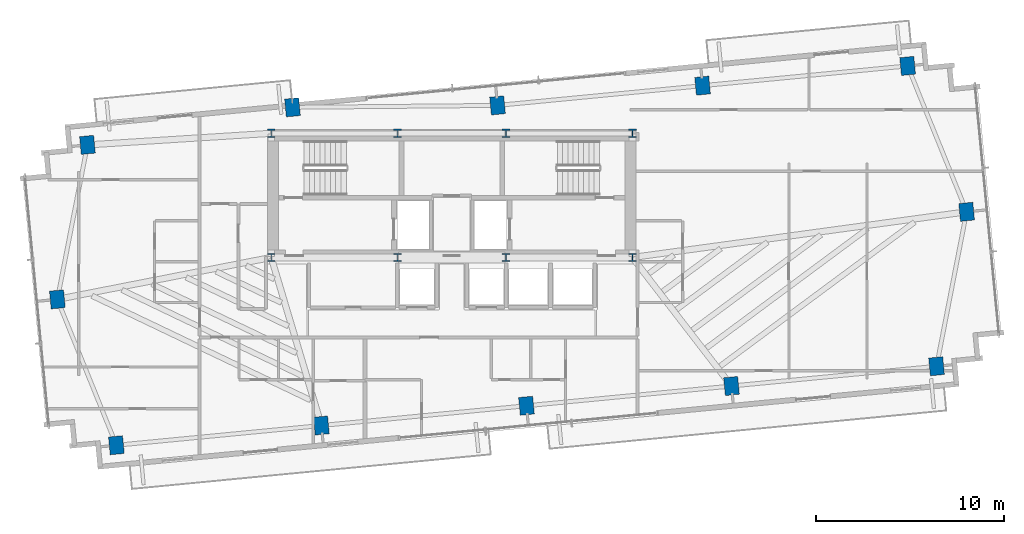
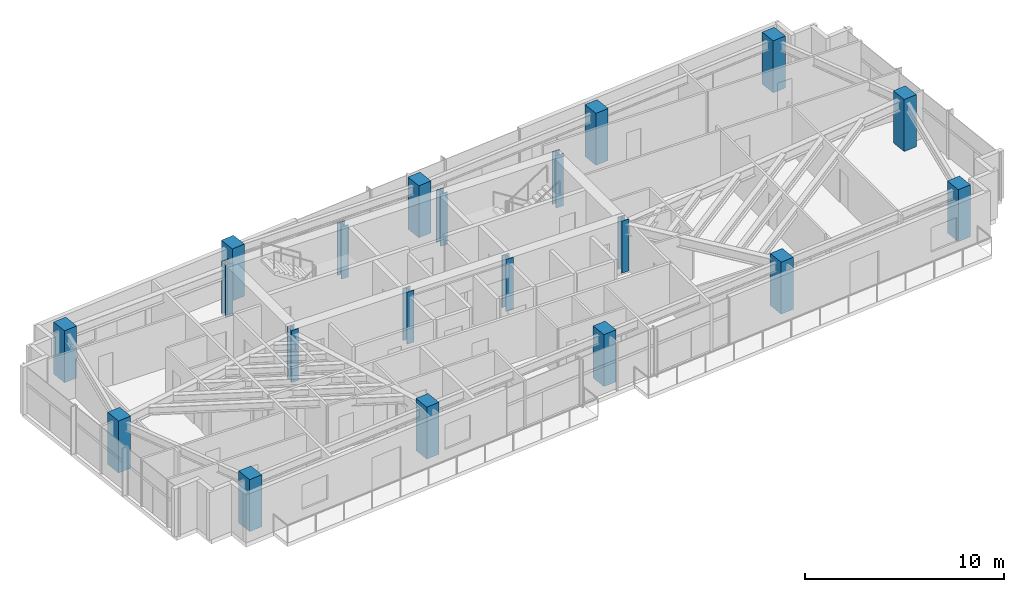
# One storey, part 1 of 18: 20 columns.
"""IFC4 building model written with IfcOpenShell, lengths in metres."""

import ifcopenshell
import ifcopenshell.guid

model = None  # the IFC model being written
_history = None  # IfcOwnerHistory: only IFC2X3 demands one
_inside = {}  # id of a spatial element -> (the spatial element, [elements in it])
_under = {}  # id of a project, library or spatial element -> (it, [spatial elements below it])
_declared = {}  # id of a project -> (the project, [libraries it declares])
_typed = {}  # id of a type object -> (the type object, [elements of that type])
_made_of = {}  # id of a material, layer set ... -> (it, [elements and type objects made of it])


def new_model(schema):
    """Start an empty IFC model of exactly this schema.

    Asked for "IFC4X3", IfcOpenShell would pick the latest addendum, in which some entities
    have other attributes; the version numbers below select the first issue.
    IFC2X3 requires an IfcOwnerHistory on every rooted entity: one is made here for all.
    """
    global model, _history
    if schema == "IFC4X3":
        model = ifcopenshell.file(schema_version=(4, 3, 0, 0))
    else:
        model = ifcopenshell.file(schema=schema)
    _inside.clear()
    _under.clear()
    _declared.clear()
    _typed.clear()
    _made_of.clear()
    _history = None
    if model.schema == "IFC2X3":
        org = make("IfcOrganization", Name="unknown")
        user = make(
            "IfcPersonAndOrganization",
            ThePerson=make("IfcPerson", FamilyName="unknown"),
            TheOrganization=org,
        )
        app = make(
            "IfcApplication",
            ApplicationDeveloper=org,
            Version="unknown",
            ApplicationFullName="unknown",
            ApplicationIdentifier="unknown",
        )
        _history = make(
            "IfcOwnerHistory",
            OwningUser=user,
            OwningApplication=app,
            ChangeAction="ADDED",
            CreationDate=0,
        )
    return model


def make(cls, **values):
    """One entity of the class cls with the attributes given. An attribute that is None is left unset."""
    return model.create_entity(
        cls, **{name: value for name, value in values.items() if value is not None}
    )


def rooted(cls, **values):
    """An entity with a GlobalId (a new one), such as an element, a storey or a relation."""
    return make(cls, GlobalId=ifcopenshell.guid.new(), OwnerHistory=_history, **values)


def si_unit(unit_type, name, prefix=None):
    """IfcSIUnit, for example si_unit("LENGTHUNIT", "METRE", prefix="MILLI")."""
    return make("IfcSIUnit", UnitType=unit_type, Prefix=prefix, Name=name)


def assignment(units):
    """IfcUnitAssignment: the units of a project."""
    return None if units is None else make("IfcUnitAssignment", Units=units)


def point(xyz):
    """IfcCartesianPoint."""
    return None if xyz is None else make("IfcCartesianPoint", Coordinates=xyz)


def direction(xyz):
    """IfcDirection."""
    return None if xyz is None else make("IfcDirection", DirectionRatios=xyz)


def frame(location, z_axis=None, x_axis=None):
    """IfcAxis2Placement3D, a coordinate frame: its origin and axes. An axis left out is left unset."""
    return make(
        "IfcAxis2Placement3D",
        Location=point(location),
        Axis=direction(z_axis),
        RefDirection=direction(x_axis),
    )


def frame_2d(location, x_axis=None):
    """IfcAxis2Placement2D, a coordinate frame in the plane: its origin and x axis."""
    return make(
        "IfcAxis2Placement2D", Location=point(location), RefDirection=direction(x_axis)
    )


def origin():
    """The frame at (0, 0, 0) with its axes left unset."""
    return frame((0.0, 0.0, 0.0))


def origin_2d():
    """The frame at (0, 0) in the plane with its x axis left unset."""
    return frame_2d((0.0, 0.0))


def place(relative_to, where):
    """IfcLocalPlacement: puts the frame where relative to a parent placement (None: the world)."""
    return make(
        "IfcLocalPlacement", PlacementRelTo=relative_to, RelativePlacement=where
    )


def context(
    kind, dimensions, precision=None, world=None, true_north=None, identifier=None
):
    """IfcGeometricRepresentationContext, for example the 3D "Model" context."""
    return make(
        "IfcGeometricRepresentationContext",
        ContextIdentifier=identifier,
        ContextType=kind,
        CoordinateSpaceDimension=dimensions,
        Precision=precision,
        WorldCoordinateSystem=world,
        TrueNorth=true_north,
    )


def subcontext(parent, identifier, kind, view, scale=None):
    """IfcGeometricRepresentationSubContext, for example "Body" below "Model"."""
    return make(
        "IfcGeometricRepresentationSubContext",
        ContextIdentifier=identifier,
        ContextType=kind,
        ParentContext=parent,
        TargetScale=scale,
        TargetView=view,
    )


def project(units=None, contexts=None):
    """IfcProject with its units and contexts."""
    return rooted(
        "IfcProject",
        Name="project",
        RepresentationContexts=contexts,
        UnitsInContext=assignment(units),
    )


def spatial(cls, under=None, at=None, **own):
    """A site, building, storey or space (cls), placed at a placement, below another one or the project."""
    s = rooted(cls, ObjectPlacement=at, **own)
    if under is not None:
        _under.setdefault(under.id(), (under, []))[1].append(s)
    return s


def profile(cls, at=None, kind="AREA", **sizes):
    """A parametric profile (cls). Its sizes go by their IFC names, for example OverallWidth=200.0."""
    return make(cls, ProfileType=kind, Position=at, **sizes)


def rectangle(**sizes):
    """IfcRectangleProfileDef."""
    return profile("IfcRectangleProfileDef", **sizes)


def i_section(**sizes):
    """IfcIShapeProfileDef."""
    return profile("IfcIShapeProfileDef", **sizes)


def extrude(swept, where, along, depth):
    """IfcExtrudedAreaSolid: the profile swept, set in the frame where, extruded along a direction by depth."""
    return make(
        "IfcExtrudedAreaSolid",
        SweptArea=swept,
        Position=where,
        ExtrudedDirection=direction(along),
        Depth=depth,
    )


def shape(context_of_items, identifier, shape_type, items):
    """IfcShapeRepresentation: the items that make up one representation, for example the "Body"."""
    return make(
        "IfcShapeRepresentation",
        ContextOfItems=context_of_items,
        RepresentationIdentifier=identifier,
        RepresentationType=shape_type,
        Items=items,
    )


def source(mapping_origin, context_of_items, identifier, shape_type, items):
    """IfcRepresentationMap: a shape defined once, which mapped items show again and again."""
    return make(
        "IfcRepresentationMap",
        MappingOrigin=mapping_origin,
        MappedRepresentation=shape(context_of_items, identifier, shape_type, items),
    )


def transform(
    local_origin,
    x_axis=None,
    y_axis=None,
    z_axis=None,
    scale=None,
    scale2=None,
    scale3=None,
    uniform=True,
):
    """IfcCartesianTransformationOperator3D, or its non-uniform kind. x_axis, y_axis, z_axis: its Axis1, 2, 3."""
    if uniform:
        return make(
            "IfcCartesianTransformationOperator3D",
            Axis1=direction(x_axis),
            Axis2=direction(y_axis),
            LocalOrigin=point(local_origin),
            Scale=scale,
            Axis3=direction(z_axis),
        )
    return make(
        "IfcCartesianTransformationOperator3DnonUniform",
        Axis1=direction(x_axis),
        Axis2=direction(y_axis),
        LocalOrigin=point(local_origin),
        Scale=scale,
        Axis3=direction(z_axis),
        Scale2=scale2,
        Scale3=scale3,
    )


def mapped(mapping_source, mapping_target):
    """IfcMappedItem: shows the shape of a source again, moved by a transform."""
    return make(
        "IfcMappedItem", MappingSource=mapping_source, MappingTarget=mapping_target
    )


def material(Name=None, Category=None):
    """IfcMaterial."""
    return make("IfcMaterial", Name=Name, Category=Category)


def material_profile(
    of_material, cross_section, Name=None, Category=None, Priority=None
):
    """IfcMaterialProfile: a cross section and its material."""
    return make(
        "IfcMaterialProfile",
        Name=Name,
        Material=of_material,
        Profile=cross_section,
        Priority=Priority,
        Category=Category,
    )


def profile_set(profiles, Name=None, composite=None):
    """IfcMaterialProfileSet."""
    return make(
        "IfcMaterialProfileSet",
        Name=Name,
        MaterialProfiles=profiles,
        CompositeProfile=composite,
    )


def made_of(thing, what):
    """Note that an element or type object is made of a material, layer set ...; save() writes the relation."""
    if what is not None:
        _made_of.setdefault(what.id(), (what, []))[1].append(thing)
    return thing


def type_object(cls, material=None, **own):
    """A type object (cls), such as IfcWallType, which elements share."""
    return made_of(rooted(cls, **own), material)


def type_shapes(of_type, sources):
    """Give a type object the sources (RepresentationMaps) that its elements show as mapped items."""
    of_type.RepresentationMaps = sources


def element(
    cls,
    number,
    at=None,
    inside=None,
    cuts=None,
    type_object=None,
    material=None,
    context=None,
    identifier="Body",
    shape_type=None,
    held_by="IfcProductDefinitionShape",
    body=None,
    shapes=None,
    **own,
):
    """One element of the class cls, such as IfcWall. Its Tag is "e" and its number.

    at: its placement. inside: the storey or other place that contains it. cuts: it is an
    opening in that element (IfcRelVoidsElement). A single representation is given by context,
    identifier, shape_type and body (its items); several are given by shapes. held_by: the class
    of the entity that holds the representations. save() writes the other relations.
    """
    e = rooted(cls, Tag="e%d" % number, ObjectPlacement=at, **own)
    if body is not None:
        shapes = [shape(context, identifier, shape_type, body)]
    if shapes is not None:
        e.Representation = make(held_by, Representations=shapes)
    if inside is not None:
        _inside.setdefault(inside.id(), (inside, []))[1].append(e)
    if cuts is not None:
        rooted(
            "IfcRelVoidsElement", RelatingBuildingElement=cuts, RelatedOpeningElement=e
        )
    if type_object is not None:
        _typed.setdefault(type_object.id(), (type_object, []))[1].append(e)
    return made_of(e, material)


def aggregate(whole, parts):
    """IfcRelAggregates: a whole, such as a stair, and the parts it consists of."""
    return rooted("IfcRelAggregates", RelatingObject=whole, RelatedObjects=parts)


def save(model, path):
    """Write the relations noted so far, then the file.

    IfcRelAggregates (storeys below a building ...), IfcRelContainedInSpatialStructure (elements
    in a storey), IfcRelDefinesByType, IfcRelAssociatesMaterial and IfcRelDeclares: one each for
    every whole, place, type object, material and project.
    """
    for whole, parts in _under.values():
        aggregate(whole, parts)
    for where, things in _inside.values():
        rooted(
            "IfcRelContainedInSpatialStructure",
            RelatedElements=things,
            RelatingStructure=where,
        )
    for kind, things in _typed.values():
        rooted("IfcRelDefinesByType", RelatedObjects=things, RelatingType=kind)
    for what, things in _made_of.values():
        rooted("IfcRelAssociatesMaterial", RelatedObjects=things, RelatingMaterial=what)
    for by, libraries in _declared.values():
        rooted("IfcRelDeclares", RelatingContext=by, RelatedDefinitions=libraries)
    model.write(path)


model = new_model("IFC4")

# Units and contexts
model_context = context("Model", 3, precision=1e-05, world=origin(), true_north=direction((0.0, 1.0)))
body_context = subcontext(model_context, "Body", "Model", "MODEL_VIEW")
ifc_project = project(units=[si_unit("LENGTHUNIT", "METRE"), si_unit("AREAUNIT", "SQUARE_METRE"), si_unit("VOLUMEUNIT", "CUBIC_METRE"), si_unit("PLANEANGLEUNIT", "RADIAN"), si_unit("MASSUNIT", "GRAM", prefix="KILO")], contexts=[model_context])

# Site, building, storey
site_placement = place(None, origin())
site = spatial("IfcSite", under=ifc_project, at=site_placement, CompositionType="ELEMENT")
building_placement = place(site_placement, origin())
building = spatial("IfcBuilding", under=site, at=building_placement, Name="Astriad Promenade Condominiums", CompositionType="ELEMENT")
storey_placement = place(building_placement, frame((0.0, 0.0, 176.199951171875)))
storey = spatial("IfcBuildingStorey", under=building, at=storey_placement, Name="L50", CompositionType="ELEMENT", Elevation=176.199951171875)

# Columns
ifc_material_1 = material(Name="Steel ASTM A992 Grade 50", Category="steel")
ifc_material_profile_1 = material_profile(ifc_material_1, i_section(OverallWidth=0.41552734375, OverallDepth=0.445556640625, WebThickness=0.0390625, FlangeThickness=0.062744140625, FilletRadius=0.017822265625, at=origin_2d()), Name="W14X342")
ifc_profile_set_1 = profile_set([ifc_material_profile_1], Name="Steel ASTM A992 Grade 50")
column_type_1 = type_object("IfcColumnType", Name="STEEL CORE PILASTER W14X342", PredefinedType="PILASTER", material=ifc_profile_set_1)
shared_shape_1 = source(origin(), body_context, "Body", "SweptSolid", [
    extrude(i_section(OverallWidth=0.41552734375, OverallDepth=0.445556640625, WebThickness=0.0390625, FlangeThickness=0.062744140625, FilletRadius=0.017822265625, at=origin_2d()), origin(), (0.0, 0.0, 1.0), 3.196044921875),
])
type_shapes(column_type_1, [shared_shape_1])
for number, where, z_axis, x_axis, name in (
    (1, (26.39990234375, 17.39990234375, 0.001953125), (0.0, 0.0, 1.0), (1.0, 0.0, 0.0), "Core Pilaster Column CP1 (L50)"),
    (2, (33.1201171875, 17.39990234375, 0.001953125), (0.0, 0.0, 1.0), (1.0, 0.0, 0.0), "Core Pilaster Column CP2 (L50)"),
    (3, (38.8798828125, 17.39990234375, 0.001953125), (0.0, 0.0, 1.0), (1.0, 0.0, 0.0), "Core Pilaster Column CP3 (L50)"),
    (4, (45.60009765625, 17.39990234375, 0.001953125), (0.0, 0.0, 1.0), (1.0, 0.0, 0.0), "Core Pilaster Column CP4 (L50)"),
    (5, (26.39990234375, 24.0, 0.001953125), (0.0, 0.0, 1.0), (1.0, 0.0, 0.0), "Core Pilaster Column CP5 (L50)"),
    (6, (33.1201171875, 24.0, 0.001953125), (0.0, 0.0, 1.0), (1.0, 0.0, 0.0), "Core Pilaster Column CP6 (L50)"),
    (7, (38.8798828125, 24.0, 0.001953125), (0.0, 0.0, 1.0), (1.0, 0.0, 0.0), "Core Pilaster Column CP7 (L50)"),
    (8, (45.60009765625, 24.0, 0.001953125), (0.0, 0.0, 1.0), (1.0, 0.0, 0.0), "Core Pilaster Column CP8 (L50)"),
):
    element("IfcColumn", number, at=place(storey_placement, frame(where, z_axis=z_axis, x_axis=x_axis)), inside=storey, type_object=column_type_1, Name=name, PredefinedType="PILASTER", context=body_context, shape_type="MappedRepresentation", body=[
        mapped(shared_shape_1, transform((0.0, 0.0, 0.0), scale=1.0)),
    ])
ifc_material_2 = material(Name="Concrete C50/60", Category="concrete")
ifc_material_profile_2 = material_profile(ifc_material_2, rectangle(XDim=0.75, YDim=0.949951171875, at=origin_2d()), Name="RC-COL-950X750")
ifc_profile_set_2 = profile_set([ifc_material_profile_2], Name="Concrete C50/60")
column_type_2 = type_object("IfcColumnType", Name="CONCRETE TOWER COLUMN 950X750", PredefinedType="COLUMN", material=ifc_profile_set_2)
shared_shape_2 = source(origin(), body_context, "Body", "SweptSolid", [
    extrude(rectangle(XDim=0.75, YDim=0.949951171875, at=origin_2d()), origin(), (0.0, 0.0, 1.0), 3.196044921875),
])
type_shapes(column_type_2, [shared_shape_2])
for number, where, z_axis, x_axis, name in (
    (9, (18.16943359375, 7.41796875, 0.001953125), (0.0, 0.0, 1.0), (0.995396198367, 0.09584575252, 0.0), "Perimeter Column PC01 (L50)"),
    (10, (29.069091796875, 8.46728515625, 0.001953125), (0.0, 0.0, 1.0), (0.995396198367, 0.09584575252, 0.0), "Perimeter Column PC02 (L50)"),
    (11, (39.96875, 9.516845703125, 0.001953125), (0.0, 0.0, 1.0), (0.995396198367, 0.09584575252, 0.0), "Perimeter Column PC03 (L50)"),
    (12, (50.868408203125, 10.56640625, 0.001953125), (0.0, 0.0, 1.0), (0.995396198367, 0.09584575252, 0.0), "Perimeter Column PC04 (L50)"),
    (13, (61.767822265625, 11.615966796875, 0.001953125), (0.0, 0.0, 1.0), (0.995396198367, 0.09584575252, 0.0), "Perimeter Column PC05 (L50)"),
    (14, (16.632080078125, 23.384033203125, 0.001953125), (0.0, 0.0, 1.0), (0.995396198367, 0.09584575252, 0.0), "Perimeter Column PC06 (L50)"),
    (15, (27.53173828125, 25.3798828125, 0.001953125), (0.0, 0.0, 1.0), (0.995396198367, 0.09584575252, 0.0), "Perimeter Column PC07 (L50)"),
    (16, (38.431396484375, 25.483154296875, 0.001953125), (0.0, 0.0, 1.0), (0.995396198367, 0.09584575252, 0.0), "Perimeter Column PC08 (L50)"),
    (17, (49.330810546875, 26.53271484375, 0.001953125), (0.0, 0.0, 1.0), (0.995396198367, 0.09584575252, 0.0), "Perimeter Column PC09 (L50)"),
    (18, (60.23046875, 27.58203125, 0.001953125), (0.0, 0.0, 1.0), (0.995396198367, 0.09584575252, 0.0), "Perimeter Column PC10 (L50)"),
    (19, (15.03173828125, 15.1728515625, 0.001953125), (0.0, 0.0, 1.0), (0.995396198367, 0.09584575252, 0.0), "Perimeter Column PC11 (L50)"),
    (20, (63.3681640625, 19.8271484375, 0.001953125), (0.0, 0.0, 1.0), (0.995396198367, 0.09584575252, 0.0), "Perimeter Column PC12 (L50)"),
):
    element("IfcColumn", number, at=place(storey_placement, frame(where, z_axis=z_axis, x_axis=x_axis)), inside=storey, type_object=column_type_2, Name=name, PredefinedType="COLUMN", context=body_context, shape_type="MappedRepresentation", body=[
        mapped(shared_shape_2, transform((0.0, 0.0, 0.0), scale=1.0)),
    ])

save(model, "model.ifc")
